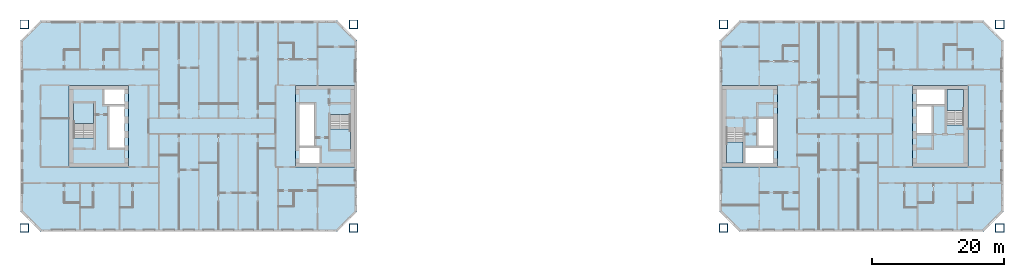
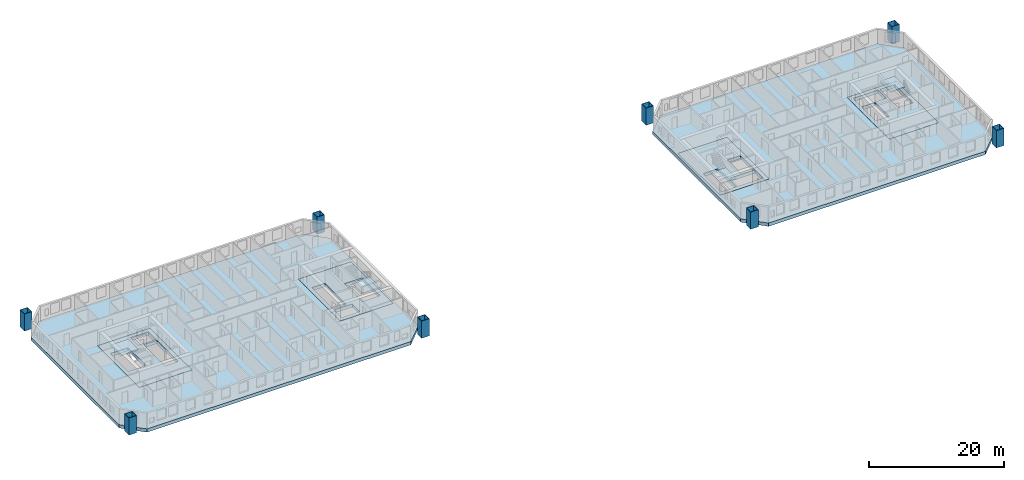
# One storey, part 1 of 16: 10 slabs, 8 columns, 4 elements without a shape of their own.
"""IFC4 building model written with IfcOpenShell, lengths in metres."""

from ifc_helpers import new_model, si_unit, direction, frame, origin, origin_2d, place, context, subcontext, project, spatial, polyline, hollow_rectangle, outline, extrude, material, layer, layer_set, material_profile, profile_set, type_object, element, aggregate, save


model = new_model("IFC4")

# Units and contexts
model_context = context("Model", 3, precision=1e-05, world=origin(), true_north=direction((0.0, 1.0)))
body_context = subcontext(model_context, "Body", "Model", "MODEL_VIEW")
ifc_project = project(units=[si_unit("LENGTHUNIT", "METRE"), si_unit("AREAUNIT", "SQUARE_METRE"), si_unit("VOLUMEUNIT", "CUBIC_METRE"), si_unit("PLANEANGLEUNIT", "RADIAN"), si_unit("MASSUNIT", "GRAM", prefix="KILO")], contexts=[model_context])

# Site, building, storey
site_placement = place(None, origin())
site = spatial("IfcSite", under=ifc_project, at=site_placement, CompositionType="ELEMENT")
building_placement = place(site_placement, origin())
building = spatial("IfcBuilding", under=site, at=building_placement, Name="Tuart Gate Housing", CompositionType="ELEMENT")
storey_placement = place(building_placement, frame((0.0, 0.0, 96.39990234375)))
storey = spatial("IfcBuildingStorey", under=building, at=storey_placement, Name="L26", CompositionType="ELEMENT", Elevation=96.39990234375)

# Columns
ifc_material_1 = material(Name="Steel Grade 350", Category="steel")
ifc_material_profile = material_profile(ifc_material_1, hollow_rectangle(XDim=1.300048828125, YDim=1.300048828125, WallThickness=0.070068359375, at=origin_2d()), Name="BOX 1300x1300x70")
ifc_profile_set = profile_set([ifc_material_profile], Name="Steel Grade 350")
column_type = type_object("IfcColumnType", Name="Mega column BOX 1300x1300x70", PredefinedType="COLUMN", material=ifc_profile_set)
for number, where, z_axis, x_axis, name in (
    (1, (25.550048828125, 54.550048828125, 0.0), (0.0, 0.0, 1.0), (1.0, 0.0, 0.0), "Mega column A south-west L26"),
    (2, (75.449951171875, 54.550048828125, 0.0), (0.0, 0.0, 1.0), (1.0, 0.0, 0.0), "Mega column A south-east L26"),
    (3, (75.449951171875, 85.449951171875, 0.0), (0.0, 0.0, 1.0), (1.0, 0.0, 0.0), "Mega column A north-east L26"),
    (4, (25.550048828125, 85.449951171875, 0.0), (0.0, 0.0, 1.0), (1.0, 0.0, 0.0), "Mega column A north-west L26"),
    (5, (131.550048828125, 54.550048828125, 0.0), (0.0, 0.0, 1.0), (1.0, 0.0, 0.0), "Mega column B south-west L26"),
    (6, (173.449951171875, 54.550048828125, 0.0), (0.0, 0.0, 1.0), (1.0, 0.0, 0.0), "Mega column B south-east L26"),
    (7, (173.449951171875, 85.449951171875, 0.0), (0.0, 0.0, 1.0), (1.0, 0.0, 0.0), "Mega column B north-east L26"),
    (8, (131.550048828125, 85.449951171875, 0.0), (0.0, 0.0, 1.0), (1.0, 0.0, 0.0), "Mega column B north-west L26"),
):
    element("IfcColumn", number, at=place(storey_placement, frame(where, z_axis=z_axis, x_axis=x_axis)), inside=storey, type_object=column_type, Name=name, PredefinedType="COLUMN", context=body_context, shape_type="SweptSolid", body=[
        extrude(hollow_rectangle(XDim=1.300048828125, YDim=1.300048828125, WallThickness=0.070068359375, at=origin_2d()), origin(), (0.0, 0.0, 1.0), 3.10009765625),
    ])

# Slabs
ifc_material_2 = material(Name="Concrete C40", Category="concrete")
ifc_layer_1 = layer(ifc_material_2, 0.60009765625)
ifc_layer_set_1 = layer_set([ifc_layer_1], Name="Core floor slab 600")
slab_type_1 = type_object("IfcSlabType", Name="Core floor slab 600", PredefinedType="FLOOR", material=ifc_layer_set_1)
slab_1_placement = place(storey_placement, frame((0.0, 0.0, -0.599853515625)))
element("IfcSlab", 9, at=slab_1_placement, inside=storey, type_object=slab_type_1, Name="Core floor AG", PredefinedType="FLOOR", context=body_context, shape_type="SweptSolid", body=[
    extrude(outline(polyline([(66.639892578125, 63.800048828125), (75.639892578125, 63.800048828125), (75.639892578125, 76.199951171875), (66.639892578125, 76.199951171875), (66.639892578125, 63.800048828125)]), holes=[polyline([(67.2900390625, 64.449951171875), (70.360107421875, 64.449951171875), (70.360107421875, 66.699951171875), (67.2900390625, 66.699951171875), (67.2900390625, 64.449951171875)]), polyline([(67.2900390625, 67.0), (69.5400390625, 67.0), (69.5400390625, 73.300048828125), (67.2900390625, 73.300048828125), (67.2900390625, 67.0)]), polyline([(71.93994140625, 66.5), (74.989990234375, 66.5), (74.989990234375, 71.780029296875), (71.93994140625, 71.780029296875), (71.93994140625, 66.5)])]), origin(), (0.0, 0.0, 1.0), 0.599853515625),
])
slab_2_placement = place(storey_placement, frame((0.0, 0.0, -0.599853515625)))
element("IfcSlab", 10, at=slab_2_placement, inside=storey, type_object=slab_type_1, Name="Core floor AK", PredefinedType="FLOOR", context=body_context, shape_type="SweptSolid", body=[
    extrude(outline(polyline([(32.360107421875, 63.800048828125), (41.360107421875, 63.800048828125), (41.360107421875, 76.199951171875), (32.360107421875, 76.199951171875), (32.360107421875, 63.800048828125)]), holes=[polyline([(40.7099609375, 75.550048828125), (37.639892578125, 75.550048828125), (37.639892578125, 73.300048828125), (40.7099609375, 73.300048828125), (40.7099609375, 75.550048828125)]), polyline([(40.7099609375, 73.0), (38.4599609375, 73.0), (38.4599609375, 66.699951171875), (40.7099609375, 66.699951171875), (40.7099609375, 73.0)]), polyline([(36.06005859375, 73.5), (33.010009765625, 73.5), (33.010009765625, 68.219970703125), (36.06005859375, 68.219970703125), (36.06005859375, 73.5)])]), origin(), (0.0, 0.0, 1.0), 0.599853515625),
])
slab_3_placement = place(storey_placement, frame((0.0, 0.0, -0.599853515625)))
element("IfcSlab", 11, at=slab_3_placement, inside=storey, type_object=slab_type_1, Name="Core floor BG", PredefinedType="FLOOR", context=body_context, shape_type="SweptSolid", body=[
    extrude(outline(polyline([(131.360107421875, 63.800048828125), (139.760009765625, 63.800048828125), (139.760009765625, 76.199951171875), (131.360107421875, 76.199951171875), (131.360107421875, 63.800048828125)]), holes=[polyline([(139.110107421875, 66.85009765625), (134.860107421875, 66.85009765625), (134.860107421875, 64.449951171875), (139.110107421875, 64.449951171875), (139.110107421875, 66.85009765625)]), polyline([(139.110107421875, 71.10009765625), (136.860107421875, 71.10009765625), (136.860107421875, 67.0), (139.110107421875, 67.0), (139.110107421875, 71.10009765625)]), polyline([(134.56005859375, 69.830078125), (132.010009765625, 69.830078125), (132.010009765625, 64.449951171875), (134.56005859375, 64.449951171875), (134.56005859375, 69.830078125)])]), origin(), (0.0, 0.0, 1.0), 0.599853515625),
])
slab_4_placement = place(storey_placement, frame((0.0, 0.0, -0.599853515625)))
element("IfcSlab", 12, at=slab_4_placement, inside=storey, type_object=slab_type_1, Name="Core floor BK", PredefinedType="FLOOR", context=body_context, shape_type="SweptSolid", body=[
    extrude(outline(polyline([(160.239990234375, 63.800048828125), (168.639892578125, 63.800048828125), (168.639892578125, 76.199951171875), (160.239990234375, 76.199951171875), (160.239990234375, 63.800048828125)]), holes=[polyline([(160.889892578125, 73.14990234375), (165.139892578125, 73.14990234375), (165.139892578125, 75.550048828125), (160.889892578125, 75.550048828125), (160.889892578125, 73.14990234375)]), polyline([(160.889892578125, 68.89990234375), (163.139892578125, 68.89990234375), (163.139892578125, 73.0), (160.889892578125, 73.0), (160.889892578125, 68.89990234375)]), polyline([(165.43994140625, 70.169921875), (167.989990234375, 70.169921875), (167.989990234375, 75.550048828125), (165.43994140625, 75.550048828125), (165.43994140625, 70.169921875)])]), origin(), (0.0, 0.0, 1.0), 0.599853515625),
])

# Stair, slab
ifc_material_3 = material(Name="Concrete C40", Category="concrete")
stair_type_1 = type_object("IfcStairType", Name="Core stair 1500", PredefinedType="HALF_TURN_STAIR", material=ifc_material_3)
stair_1_placement = place(storey_placement, origin())
stair_1 = element("IfcStair", 13, at=stair_1_placement, inside=storey, type_object=stair_type_1, Name="Stair SA1", PredefinedType="HALF_TURN_STAIR")
ifc_material_4 = material(Name="Concrete C40", Category="concrete")
ifc_layer_2 = layer(ifc_material_4, 0.199951171875)
ifc_layer_set_2 = layer_set([ifc_layer_2], Name="Stair landing 200")
slab_type_2 = type_object("IfcSlabType", Name="Stair landing 200", PredefinedType="LANDING", material=ifc_layer_set_2)
slab_5_placement = place(storey_placement, frame((0.0, 0.0, 1.35009765625)))
slab_5 = element("IfcSlab", 14, at=slab_5_placement, type_object=slab_type_2, Name="SA1 landing 1", PredefinedType="LANDING", context=body_context, shape_type="SweptSolid", body=[
    extrude(outline(polyline([(71.93994140625, 66.5), (74.989990234375, 66.5), (74.989990234375, 69.56005859375), (71.93994140625, 69.56005859375), (71.93994140625, 66.5)])), origin(), (0.0, 0.0, 1.0), 0.199951171875),
])
aggregate(stair_1, [slab_5])

stair_2_placement = place(storey_placement, origin())
stair_2 = element("IfcStair", 15, at=stair_2_placement, inside=storey, type_object=stair_type_1, Name="Stair SA2", PredefinedType="HALF_TURN_STAIR")
slab_6_placement = place(storey_placement, frame((0.0, 0.0, 1.35009765625)))
slab_6 = element("IfcSlab", 16, at=slab_6_placement, type_object=slab_type_2, Name="SA2 landing 1", PredefinedType="LANDING", context=body_context, shape_type="SweptSolid", body=[
    extrude(outline(polyline([(36.06005859375, 73.5), (33.010009765625, 73.5), (33.010009765625, 70.43994140625), (36.06005859375, 70.43994140625), (36.06005859375, 73.5)])), origin(), (0.0, 0.0, 1.0), 0.199951171875),
])
aggregate(stair_2, [slab_6])

ifc_material_5 = material(Name="Concrete C40", Category="concrete")
stair_type_2 = type_object("IfcStairType", Name="Core stair 1250", PredefinedType="HALF_TURN_STAIR", material=ifc_material_5)
stair_3_placement = place(storey_placement, origin())
stair_3 = element("IfcStair", 17, at=stair_3_placement, inside=storey, type_object=stair_type_2, Name="Stair SB1", PredefinedType="HALF_TURN_STAIR")
slab_7_placement = place(storey_placement, frame((0.0, 0.0, 1.35009765625)))
slab_7 = element("IfcSlab", 18, at=slab_7_placement, type_object=slab_type_2, Name="SB1 landing 1", PredefinedType="LANDING", context=body_context, shape_type="SweptSolid", body=[
    extrude(outline(polyline([(134.56005859375, 67.610107421875), (132.010009765625, 67.610107421875), (132.010009765625, 64.449951171875), (134.56005859375, 64.449951171875), (134.56005859375, 67.610107421875)])), origin(), (0.0, 0.0, 1.0), 0.199951171875),
])
aggregate(stair_3, [slab_7])

stair_4_placement = place(storey_placement, origin())
stair_4 = element("IfcStair", 19, at=stair_4_placement, inside=storey, type_object=stair_type_2, Name="Stair SB2", PredefinedType="HALF_TURN_STAIR")
slab_8_placement = place(storey_placement, frame((0.0, 0.0, 1.35009765625)))
slab_8 = element("IfcSlab", 20, at=slab_8_placement, type_object=slab_type_2, Name="SB2 landing 1", PredefinedType="LANDING", context=body_context, shape_type="SweptSolid", body=[
    extrude(outline(polyline([(165.43994140625, 72.389892578125), (167.989990234375, 72.389892578125), (167.989990234375, 75.550048828125), (165.43994140625, 75.550048828125), (165.43994140625, 72.389892578125)])), origin(), (0.0, 0.0, 1.0), 0.199951171875),
])
aggregate(stair_4, [slab_8])

# Slabs
ifc_material_6 = material(Name="Concrete C40", Category="concrete")
ifc_layer_3 = layer(ifc_material_6, 0.60009765625)
ifc_layer_set_3 = layer_set([ifc_layer_3], Name="Transfer plate 600")
slab_type_3 = type_object("IfcSlabType", Name="Transfer plate 600", PredefinedType="FLOOR", material=ifc_layer_set_3)
slab_9_placement = place(storey_placement, frame((0.0, 0.0, -0.599853515625)))
element("IfcSlab", 21, at=slab_9_placement, inside=storey, type_object=slab_type_3, Name="Floor slab A L26", PredefinedType="FLOOR", context=body_context, shape_type="SweptSolid", body=[
    extrude(outline(polyline([(28.0, 86.0), (25.0, 83.0), (25.0, 57.0), (28.0, 54.0), (73.0, 54.0), (76.0, 57.0), (76.0, 83.0), (73.0, 86.0), (28.0, 86.0)]), holes=[polyline([(66.639892578125, 76.199951171875), (75.639892578125, 76.199951171875), (75.639892578125, 63.800048828125), (66.639892578125, 63.800048828125), (66.639892578125, 76.199951171875)]), polyline([(41.360107421875, 76.199951171875), (41.360107421875, 63.800048828125), (32.360107421875, 63.800048828125), (32.360107421875, 76.199951171875), (41.360107421875, 76.199951171875)])]), origin(), (0.0, 0.0, 1.0), 0.599853515625),
])
slab_10_placement = place(storey_placement, frame((0.0, 0.0, -0.599853515625)))
element("IfcSlab", 22, at=slab_10_placement, inside=storey, type_object=slab_type_3, Name="Floor slab B L26", PredefinedType="FLOOR", context=body_context, shape_type="SweptSolid", body=[
    extrude(outline(polyline([(134.0, 86.0), (131.0, 83.0), (131.0, 57.0), (134.0, 54.0), (171.0, 54.0), (174.0, 57.0), (174.0, 83.0), (171.0, 86.0), (134.0, 86.0)]), holes=[polyline([(131.360107421875, 76.199951171875), (139.760009765625, 76.199951171875), (139.760009765625, 63.800048828125), (131.360107421875, 63.800048828125), (131.360107421875, 76.199951171875)]), polyline([(168.639892578125, 76.199951171875), (168.639892578125, 63.800048828125), (160.239990234375, 63.800048828125), (160.239990234375, 76.199951171875), (168.639892578125, 76.199951171875)])]), origin(), (0.0, 0.0, 1.0), 0.599853515625),
])

save(model, "model.ifc")
